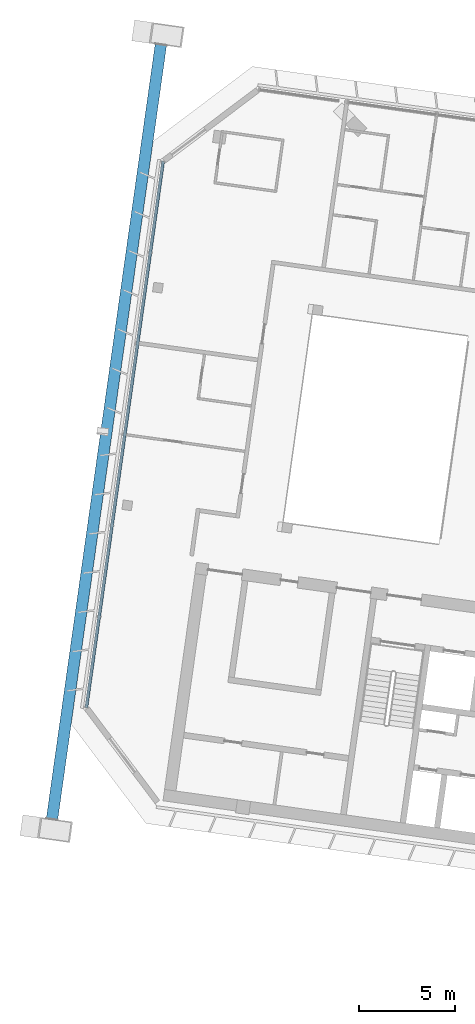
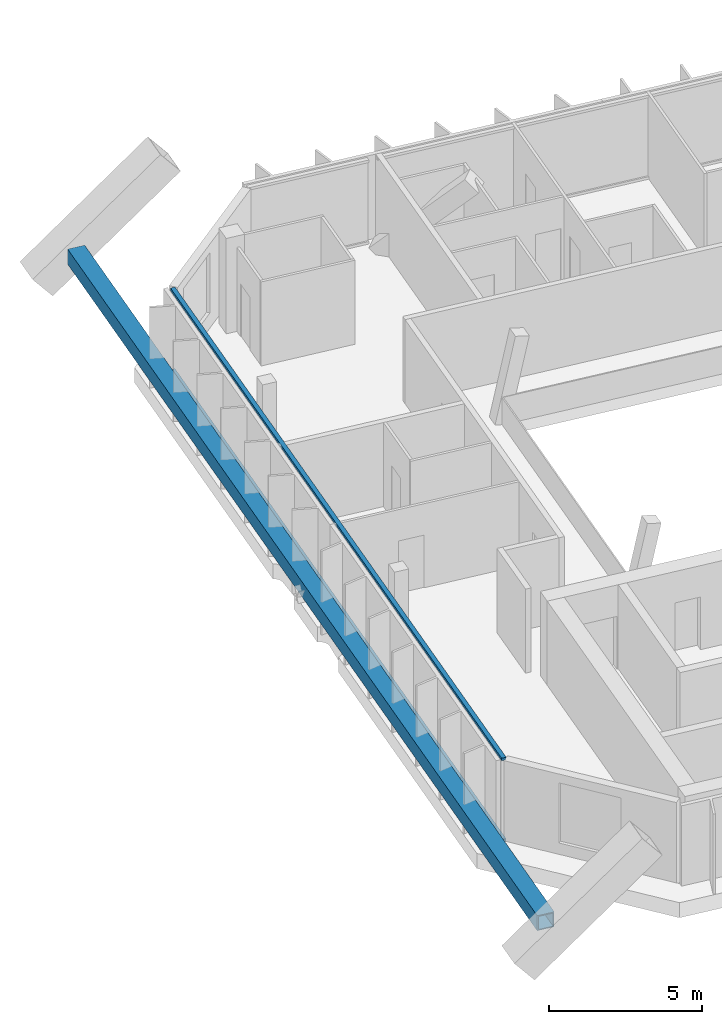
# One storey, part 3 of 25: 3 members, 1 element without a shape of its own.
"""IFC4 building model written with IfcOpenShell, lengths in metres."""

from ifc_helpers import new_model, si_unit, direction, frame, origin, origin_2d, place, context, subcontext, project, spatial, rectangle, hollow_rectangle, extrude, material, material_profile, profile_set, type_object, element, aggregate, save


model = new_model("IFC4")

# Units and contexts
model_context = context("Model", 3, precision=1e-05, world=origin(), true_north=direction((0.0, 1.0)))
body_context = subcontext(model_context, "Body", "Model", "MODEL_VIEW")
ifc_project = project(units=[si_unit("LENGTHUNIT", "METRE"), si_unit("AREAUNIT", "SQUARE_METRE"), si_unit("VOLUMEUNIT", "CUBIC_METRE"), si_unit("PLANEANGLEUNIT", "RADIAN"), si_unit("MASSUNIT", "GRAM", prefix="KILO")], contexts=[model_context])

# Site, building, storey
site_placement = place(None, origin())
site = spatial("IfcSite", under=ifc_project, at=site_placement, CompositionType="ELEMENT")
building_placement = place(site_placement, origin())
building = spatial("IfcBuilding", under=site, at=building_placement, Name="Mirante Cascada Hotel Towers", CompositionType="ELEMENT")
storey_placement = place(building_placement, frame((0.0, 0.0, 247.0)))
storey = spatial("IfcBuildingStorey", under=building, at=storey_placement, Name="L59", CompositionType="ELEMENT", Elevation=247.0)

# Member
ifc_material_1 = material(Name="Steel ASTM A572 Gr 50", Category="steel")
ifc_material_profile_1 = material_profile(ifc_material_1, hollow_rectangle(XDim=0.6, YDim=0.6, WallThickness=0.04, at=origin_2d()), Name="Box chord 600x600x40 ASTM A572 Gr 50")
ifc_profile_set_1 = profile_set([ifc_material_profile_1], Name="Steel ASTM A572 Gr 50")
member_type_1 = type_object("IfcMemberType", Name="Box chord 600x600x40 ASTM A572 Gr 50", PredefinedType="CHORD", material=ifc_profile_set_1)
member_1_placement = place(storey_placement, frame((-69.3064, -17.147, 1.0), z_axis=(0.1391743, 0.9902679, 0.0), x_axis=(-0.9902679, 0.1391743, 0.0)))
element("IfcMember", 1, at=member_1_placement, inside=storey, type_object=member_type_1, Name="exochord T1 L59 1", PredefinedType="CHORD", context=body_context, shape_type="SweptSolid", body=[
    extrude(hollow_rectangle(XDim=0.6, YDim=0.6, WallThickness=0.04, at=origin_2d()), origin(), (0.0, 0.0, 1.0), 40.94),
])

# Curtain wall, members
ifc_material_2 = material(Name="Aluminium mullion and transom frame with clear laminated glass", Category="aluminium")
curtain_wall_type = type_object("IfcCurtainWallType", Name="End ribbon curtain wall ECW2", PredefinedType="NOTDEFINED", material=ifc_material_2)
curtain_wall_placement = place(storey_placement, origin())
curtain_wall = element("IfcCurtainWall", 2, at=curtain_wall_placement, inside=storey, type_object=curtain_wall_type, Name="Outer end wall T1 L59", PredefinedType="NOTDEFINED")
ifc_material_3 = material(Name="Anodised aluminium extrusion", Category="aluminium")
ifc_material_profile_2 = material_profile(ifc_material_3, rectangle(XDim=0.16, YDim=0.1, at=origin_2d()), Name="ECW2 TRANSOM 100x160")
ifc_profile_set_2 = profile_set([ifc_material_profile_2], Name="Anodised aluminium extrusion")
member_type_2 = type_object("IfcMemberType", Name="ECW2 transom 100x160", PredefinedType="USERDEFINED", material=ifc_profile_set_2)
member_2_placement = place(storey_placement, frame((-67.5105, -11.308, 0.05), z_axis=(0.1391757, 0.9902677, 0.0), x_axis=(-0.9902677, 0.1391757, 0.0)))
member_2 = element("IfcMember", 3, at=member_2_placement, type_object=member_type_2, Name="ECW2 sill transom", ObjectType="TRANSOM", PredefinedType="USERDEFINED", context=body_context, shape_type="SweptSolid", body=[
    extrude(rectangle(XDim=0.16, YDim=0.1, at=origin_2d()), origin(), (0.0, 0.0, 1.0), 28.8757),
])
member_3_placement = place(storey_placement, frame((-67.5105, -11.308, 3.3), z_axis=(0.1391757, 0.9902677, 0.0), x_axis=(-0.9902677, 0.1391757, 0.0)))
member_3 = element("IfcMember", 4, at=member_3_placement, type_object=member_type_2, Name="ECW2 head transom", ObjectType="TRANSOM", PredefinedType="USERDEFINED", context=body_context, shape_type="SweptSolid", body=[
    extrude(rectangle(XDim=0.16, YDim=0.1, at=origin_2d()), origin(), (0.0, 0.0, 1.0), 28.8757),
])
aggregate(curtain_wall, [member_2, member_3])

save(model, "model.ifc")
